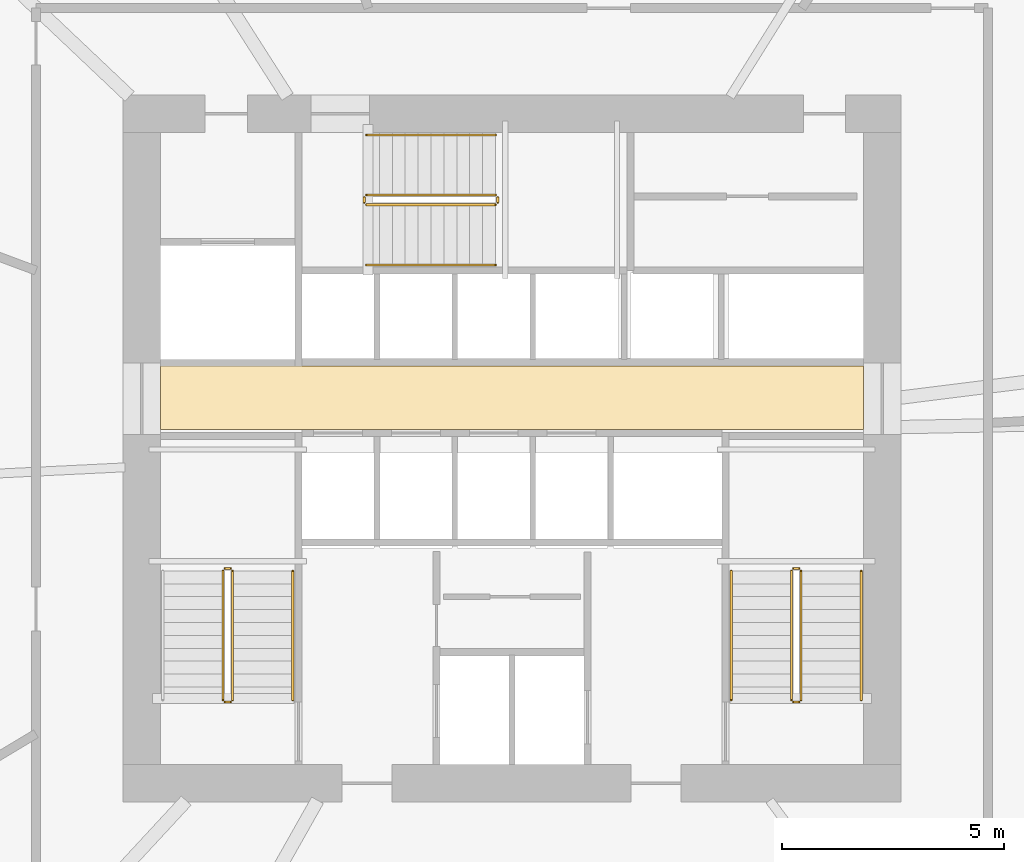
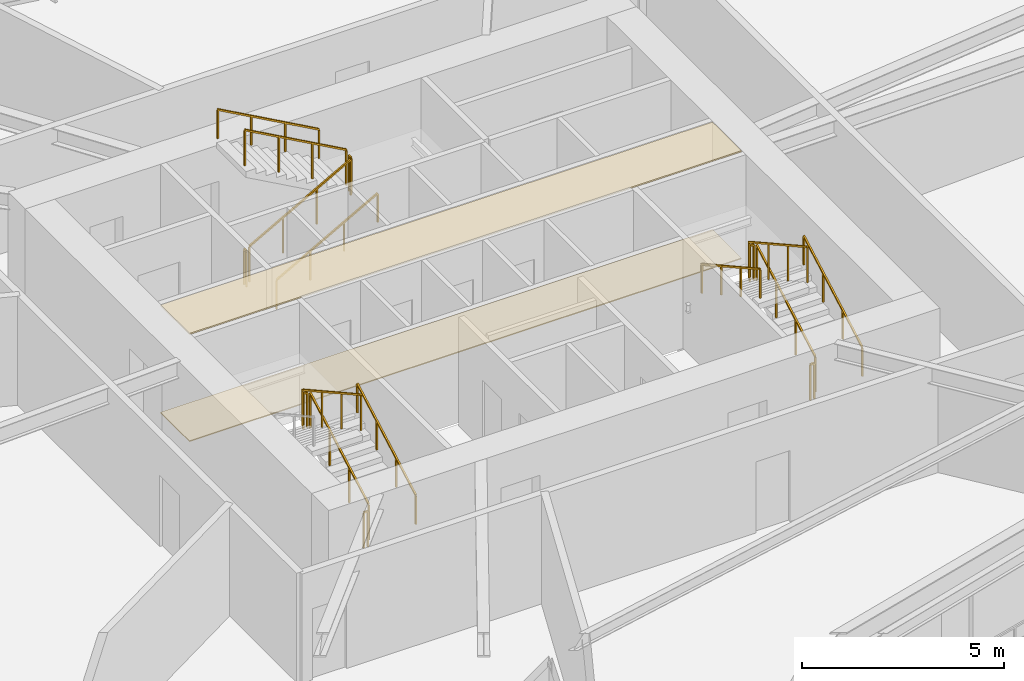
# One storey, part 19 of 20: 17 railings, 2 coverings.
"""IFC4 building model written with IfcOpenShell, lengths in metres."""

from ifc_helpers import new_model, si_unit, direction, frame, origin, origin_2d, place, context, subcontext, project, spatial, polyline, rectangle, outline, extrude, material, layer, layer_set, type_object, element, save


model = new_model("IFC4")

# Units and contexts
model_context = context("Model", 3, precision=1e-05, world=origin(), true_north=direction((0.0, 1.0)))
body_context = subcontext(model_context, "Body", "Model", "MODEL_VIEW")
ifc_project = project(units=[si_unit("LENGTHUNIT", "METRE"), si_unit("AREAUNIT", "SQUARE_METRE"), si_unit("VOLUMEUNIT", "CUBIC_METRE"), si_unit("PLANEANGLEUNIT", "RADIAN"), si_unit("MASSUNIT", "GRAM", prefix="KILO")], contexts=[model_context])

# Site, building, storey
site_placement = place(None, origin())
site = spatial("IfcSite", under=ifc_project, at=site_placement, CompositionType="ELEMENT")
building_placement = place(site_placement, origin())
building = spatial("IfcBuilding", under=site, at=building_placement, Name="Olszyna Solenne Hotel", CompositionType="ELEMENT")
storey_placement = place(building_placement, frame((0.0, 0.0, 43.5)))
storey = spatial("IfcBuildingStorey", under=building, at=storey_placement, Name="L10", CompositionType="ELEMENT", Elevation=43.5)

# Coverings
ifc_material_1 = material(Name="Mineral wool acoustic ceiling")
ifc_layer_1 = layer(ifc_material_1, 0.0400390625, Name="Mineral wool acoustic ceiling")
ifc_layer_set_1 = layer_set([ifc_layer_1], Name="Mineral wool acoustic ceiling")
covering_type_1 = type_object("IfcCoveringType", Name="CL-AC1", PredefinedType="CEILING", material=ifc_layer_set_1)
covering_1_placement = place(storey_placement, frame((0.0, 0.0, 3.239990234375)))
element("IfcCovering", 1, at=covering_1_placement, inside=storey, type_object=covering_type_1, Name="Lift lobby acoustic tile ceiling CL-L10-01", PredefinedType="CEILING", context=body_context, shape_type="SweptSolid", body=[
    extrude(outline(polyline([(30.10009765625, 27.030029296875), (45.89990234375, 27.030029296875), (45.89990234375, 28.4599609375), (30.10009765625, 28.4599609375), (30.10009765625, 27.030029296875)])), origin(), (0.0, 0.0, 1.0), 0.0400390625),
])
ifc_material_2 = material(Name="Ceramic floor tile")
ifc_layer_2 = layer(ifc_material_2, 0.030029296875, Name="Ceramic floor tile")
ifc_layer_set_2 = layer_set([ifc_layer_2], Name="Ceramic floor tile")
covering_type_2 = type_object("IfcCoveringType", Name="FL-TL1", PredefinedType="FLOORING", material=ifc_layer_set_2)
covering_2_placement = place(storey_placement, origin())
element("IfcCovering", 2, at=covering_2_placement, inside=storey, type_object=covering_type_2, Name="Lift lobby stoneware floor finish FLR-L10-01", PredefinedType="FLOORING", context=body_context, shape_type="SweptSolid", body=[
    extrude(outline(polyline([(30.10009765625, 27.030029296875), (45.89990234375, 27.030029296875), (45.89990234375, 28.4599609375), (30.10009765625, 28.4599609375), (30.10009765625, 27.030029296875)])), origin(), (0.0, 0.0, 1.0), 0.030029296875),
])

# Railings
ifc_material_3 = material(Name="Anodised bronze aluminium", Category="aluminium")
railing_type_1 = type_object("IfcRailingType", Name="GR-110", PredefinedType="BALUSTRADE", material=ifc_material_3)
railing_1_placement = place(storey_placement, frame((31.719970703125, 20.949951171875, 0.161376953125)))
element("IfcRailing", 3, at=railing_1_placement, inside=storey, type_object=railing_type_1, Name="L10 ST1 stair guard 1", PredefinedType="BALUSTRADE", context=body_context, shape_type="SweptSolid", body=[
    extrude(rectangle(XDim=0.048095703125, YDim=0.048095703125, at=origin_2d()), frame((0.0, 0.0, 1.076171875), z_axis=(0.0, 0.873858693841, 0.486179990537), x_axis=(-1.0, 0.0, 0.0)), (0.0, 0.0, 1.0), 3.31884765625),
    extrude(rectangle(XDim=0.0419921875, YDim=0.0419921875, at=origin_2d()), origin(), (0.0, 0.0, 1.0), 1.052001953125),
    extrude(rectangle(XDim=0.0419921875, YDim=0.0419921875, at=origin_2d()), frame((0.0, 0.966796875, 0.537841796875)), (0.0, 0.0, 1.0), 1.052001953125),
    extrude(rectangle(XDim=0.0419921875, YDim=0.0419921875, at=origin_2d()), frame((0.0, 1.933349609375, 1.07568359375)), (0.0, 0.0, 1.0), 1.052001953125),
    extrude(rectangle(XDim=0.0419921875, YDim=0.0419921875, at=origin_2d()), frame((0.0, 2.900146484375, 1.613525390625)), (0.0, 0.0, 1.0), 1.052001953125),
])
railing_2_placement = place(storey_placement, frame((31.669921875, 23.89990234375, 1.77490234375)))
element("IfcRailing", 4, at=railing_2_placement, inside=storey, type_object=railing_type_1, Name="L10 ST1 stair guard 2", PredefinedType="BALUSTRADE", context=body_context, shape_type="SweptSolid", body=[
    extrude(rectangle(XDim=0.048095703125, YDim=0.048095703125, at=origin_2d()), frame((0.0, 0.0, 1.076171875), z_axis=(-1.0, 0.0, 0.0), x_axis=(0.0, -1.0, 0.0)), (0.0, 0.0, 1.0), 0.119873046875),
    extrude(rectangle(XDim=0.0419921875, YDim=0.0419921875, at=origin_2d()), origin(), (0.0, 0.0, 1.0), 1.052001953125),
    extrude(rectangle(XDim=0.0419921875, YDim=0.0419921875, at=origin_2d()), frame((-0.119873046875, 0.0, 0.0)), (0.0, 0.0, 1.0), 1.052001953125),
])
railing_3_placement = place(storey_placement, frame((31.5, 23.85009765625, 1.936279296875)))
element("IfcRailing", 5, at=railing_3_placement, inside=storey, type_object=railing_type_1, Name="L10 ST1 stair guard 3", PredefinedType="BALUSTRADE", context=body_context, shape_type="SweptSolid", body=[
    extrude(rectangle(XDim=0.048095703125, YDim=0.048095703125, at=origin_2d()), frame((0.0, 0.0, 1.076171875), z_axis=(0.0, -0.873827439584, 0.48623616261), x_axis=(1.0, 0.0, 0.0)), (0.0, 0.0, 1.0), 3.31884765625),
    extrude(rectangle(XDim=0.0419921875, YDim=0.0419921875, at=origin_2d()), origin(), (0.0, 0.0, 1.0), 1.052001953125),
    extrude(rectangle(XDim=0.0419921875, YDim=0.0419921875, at=origin_2d()), frame((0.0, -0.966796875, 0.537841796875)), (0.0, 0.0, 1.0), 1.052001953125),
    extrude(rectangle(XDim=0.0419921875, YDim=0.0419921875, at=origin_2d()), frame((0.0, -1.933349609375, 1.075927734375)), (0.0, 0.0, 1.0), 1.052001953125),
    extrude(rectangle(XDim=0.0419921875, YDim=0.0419921875, at=origin_2d()), frame((0.0, -2.900146484375, 1.61376953125)), (0.0, 0.0, 1.0), 1.052001953125),
])
railing_4_placement = place(storey_placement, frame((31.669921875, 20.89990234375, 0.0)))
element("IfcRailing", 6, at=railing_4_placement, inside=storey, type_object=railing_type_1, Name="L10 ST1 stair guard 4", PredefinedType="BALUSTRADE", context=body_context, shape_type="SweptSolid", body=[
    extrude(rectangle(XDim=0.048095703125, YDim=0.048095703125, at=origin_2d()), frame((0.0, 0.0, 1.076171875), z_axis=(-1.0, 0.0, 0.0), x_axis=(0.0, -1.0, 0.0)), (0.0, 0.0, 1.0), 0.119873046875),
    extrude(rectangle(XDim=0.0419921875, YDim=0.0419921875, at=origin_2d()), origin(), (0.0, 0.0, 1.0), 1.052001953125),
    extrude(rectangle(XDim=0.0419921875, YDim=0.0419921875, at=origin_2d()), frame((-0.119873046875, 0.0, 0.0)), (0.0, 0.0, 1.0), 1.052001953125),
])
railing_5_placement = place(storey_placement, frame((44.5, 20.949951171875, 0.161376953125)))
element("IfcRailing", 7, at=railing_5_placement, inside=storey, type_object=railing_type_1, Name="L10 ST2 stair guard 1", PredefinedType="BALUSTRADE", context=body_context, shape_type="SweptSolid", body=[
    extrude(rectangle(XDim=0.048095703125, YDim=0.048095703125, at=origin_2d()), frame((0.0, 0.0, 1.076171875), z_axis=(0.0, 0.873858693841, 0.486179990537), x_axis=(-1.0, 0.0, 0.0)), (0.0, 0.0, 1.0), 3.31884765625),
    extrude(rectangle(XDim=0.0419921875, YDim=0.0419921875, at=origin_2d()), origin(), (0.0, 0.0, 1.0), 1.052001953125),
    extrude(rectangle(XDim=0.0419921875, YDim=0.0419921875, at=origin_2d()), frame((0.0, 0.966796875, 0.537841796875)), (0.0, 0.0, 1.0), 1.052001953125),
    extrude(rectangle(XDim=0.0419921875, YDim=0.0419921875, at=origin_2d()), frame((0.0, 1.933349609375, 1.07568359375)), (0.0, 0.0, 1.0), 1.052001953125),
    extrude(rectangle(XDim=0.0419921875, YDim=0.0419921875, at=origin_2d()), frame((0.0, 2.900146484375, 1.613525390625)), (0.0, 0.0, 1.0), 1.052001953125),
])
railing_6_placement = place(storey_placement, frame((44.449951171875, 23.89990234375, 1.77490234375)))
element("IfcRailing", 8, at=railing_6_placement, inside=storey, type_object=railing_type_1, Name="L10 ST2 stair guard 2", PredefinedType="BALUSTRADE", context=body_context, shape_type="SweptSolid", body=[
    extrude(rectangle(XDim=0.048095703125, YDim=0.048095703125, at=origin_2d()), frame((0.0, 0.0, 1.076171875), z_axis=(-1.0, 0.0, 0.0), x_axis=(0.0, -1.0, 0.0)), (0.0, 0.0, 1.0), 0.119873046875),
    extrude(rectangle(XDim=0.0419921875, YDim=0.0419921875, at=origin_2d()), origin(), (0.0, 0.0, 1.0), 1.052001953125),
    extrude(rectangle(XDim=0.0419921875, YDim=0.0419921875, at=origin_2d()), frame((-0.119873046875, 0.0, 0.0)), (0.0, 0.0, 1.0), 1.052001953125),
])
railing_7_placement = place(storey_placement, frame((44.280029296875, 23.85009765625, 1.936279296875)))
element("IfcRailing", 9, at=railing_7_placement, inside=storey, type_object=railing_type_1, Name="L10 ST2 stair guard 3", PredefinedType="BALUSTRADE", context=body_context, shape_type="SweptSolid", body=[
    extrude(rectangle(XDim=0.048095703125, YDim=0.048095703125, at=origin_2d()), frame((0.0, 0.0, 1.076171875), z_axis=(0.0, -0.873827439584, 0.48623616261), x_axis=(1.0, 0.0, 0.0)), (0.0, 0.0, 1.0), 3.31884765625),
    extrude(rectangle(XDim=0.0419921875, YDim=0.0419921875, at=origin_2d()), origin(), (0.0, 0.0, 1.0), 1.052001953125),
    extrude(rectangle(XDim=0.0419921875, YDim=0.0419921875, at=origin_2d()), frame((0.0, -0.966796875, 0.537841796875)), (0.0, 0.0, 1.0), 1.052001953125),
    extrude(rectangle(XDim=0.0419921875, YDim=0.0419921875, at=origin_2d()), frame((0.0, -1.933349609375, 1.075927734375)), (0.0, 0.0, 1.0), 1.052001953125),
    extrude(rectangle(XDim=0.0419921875, YDim=0.0419921875, at=origin_2d()), frame((0.0, -2.900146484375, 1.61376953125)), (0.0, 0.0, 1.0), 1.052001953125),
])
railing_8_placement = place(storey_placement, frame((44.449951171875, 20.89990234375, 0.0)))
element("IfcRailing", 10, at=railing_8_placement, inside=storey, type_object=railing_type_1, Name="L10 ST2 stair guard 4", PredefinedType="BALUSTRADE", context=body_context, shape_type="SweptSolid", body=[
    extrude(rectangle(XDim=0.048095703125, YDim=0.048095703125, at=origin_2d()), frame((0.0, 0.0, 1.076171875), z_axis=(-1.0, 0.0, 0.0), x_axis=(0.0, -1.0, 0.0)), (0.0, 0.0, 1.0), 0.119873046875),
    extrude(rectangle(XDim=0.0419921875, YDim=0.0419921875, at=origin_2d()), origin(), (0.0, 0.0, 1.0), 1.052001953125),
    extrude(rectangle(XDim=0.0419921875, YDim=0.0419921875, at=origin_2d()), frame((-0.119873046875, 0.0, 0.0)), (0.0, 0.0, 1.0), 1.052001953125),
])
railing_9_placement = place(storey_placement, frame((34.72998046875, 32.080078125, 0.161376953125)))
element("IfcRailing", 11, at=railing_9_placement, inside=storey, type_object=railing_type_1, Name="L10 ST3 stair guard 1", PredefinedType="BALUSTRADE", context=body_context, shape_type="SweptSolid", body=[
    extrude(rectangle(XDim=0.048095703125, YDim=0.048095703125, at=origin_2d()), frame((0.0, 0.0, 1.076171875), z_axis=(0.873841303929, 0.0, 0.486211245805), x_axis=(0.0, 1.0, 0.0)), (0.0, 0.0, 1.0), 3.318603515625),
    extrude(rectangle(XDim=0.0419921875, YDim=0.0419921875, at=origin_2d()), origin(), (0.0, 0.0, 1.0), 1.052001953125),
    extrude(rectangle(XDim=0.0419921875, YDim=0.0419921875, at=origin_2d()), frame((0.966552734375, 0.0, 0.537841796875)), (0.0, 0.0, 1.0), 1.052001953125),
    extrude(rectangle(XDim=0.0419921875, YDim=0.0419921875, at=origin_2d()), frame((1.933349609375, 0.0, 1.07568359375)), (0.0, 0.0, 1.0), 1.052001953125),
    extrude(rectangle(XDim=0.0419921875, YDim=0.0419921875, at=origin_2d()), frame((2.89990234375, 0.0, 1.613525390625)), (0.0, 0.0, 1.0), 1.052001953125),
])
railing_10_placement = place(storey_placement, frame((37.679931640625, 32.1298828125, 1.77490234375)))
element("IfcRailing", 12, at=railing_10_placement, inside=storey, type_object=railing_type_1, Name="L10 ST3 stair guard 2", PredefinedType="BALUSTRADE", context=body_context, shape_type="SweptSolid", body=[
    extrude(rectangle(XDim=0.048095703125, YDim=0.048095703125, at=origin_2d()), frame((0.0, 0.0, 1.076171875), z_axis=(0.0, 1.0, 0.0), x_axis=(-1.0, 0.0, 0.0)), (0.0, 0.0, 1.0), 0.1201171875),
    extrude(rectangle(XDim=0.0419921875, YDim=0.0419921875, at=origin_2d()), origin(), (0.0, 0.0, 1.0), 1.052001953125),
    extrude(rectangle(XDim=0.0419921875, YDim=0.0419921875, at=origin_2d()), frame((0.0, 0.1201171875, 0.0)), (0.0, 0.0, 1.0), 1.052001953125),
])
railing_11_placement = place(storey_placement, frame((37.6298828125, 32.300048828125, 1.936279296875)))
element("IfcRailing", 13, at=railing_11_placement, inside=storey, type_object=railing_type_1, Name="L10 ST3 stair guard 3", PredefinedType="BALUSTRADE", context=body_context, shape_type="SweptSolid", body=[
    extrude(rectangle(XDim=0.048095703125, YDim=0.048095703125, at=origin_2d()), frame((0.0, 0.0, 1.076171875), z_axis=(-0.873810046276, 0.0, 0.486267419253), x_axis=(0.0, -1.0, 0.0)), (0.0, 0.0, 1.0), 3.318603515625),
    extrude(rectangle(XDim=0.0419921875, YDim=0.0419921875, at=origin_2d()), origin(), (0.0, 0.0, 1.0), 1.052001953125),
    extrude(rectangle(XDim=0.0419921875, YDim=0.0419921875, at=origin_2d()), frame((-0.966552734375, 0.0, 0.537841796875)), (0.0, 0.0, 1.0), 1.052001953125),
    extrude(rectangle(XDim=0.0419921875, YDim=0.0419921875, at=origin_2d()), frame((-1.933349609375, 0.0, 1.075927734375)), (0.0, 0.0, 1.0), 1.052001953125),
    extrude(rectangle(XDim=0.0419921875, YDim=0.0419921875, at=origin_2d()), frame((-2.89990234375, 0.0, 1.61376953125)), (0.0, 0.0, 1.0), 1.052001953125),
])
railing_12_placement = place(storey_placement, frame((34.679931640625, 32.1298828125, 0.0)))
element("IfcRailing", 14, at=railing_12_placement, inside=storey, type_object=railing_type_1, Name="L10 ST3 stair guard 4", PredefinedType="BALUSTRADE", context=body_context, shape_type="SweptSolid", body=[
    extrude(rectangle(XDim=0.048095703125, YDim=0.048095703125, at=origin_2d()), frame((0.0, 0.0, 1.076171875), z_axis=(0.0, 1.0, 0.0), x_axis=(-1.0, 0.0, 0.0)), (0.0, 0.0, 1.0), 0.1201171875),
    extrude(rectangle(XDim=0.0419921875, YDim=0.0419921875, at=origin_2d()), origin(), (0.0, 0.0, 1.0), 1.052001953125),
    extrude(rectangle(XDim=0.0419921875, YDim=0.0419921875, at=origin_2d()), frame((0.0, 0.1201171875, 0.0)), (0.0, 0.0, 1.0), 1.052001953125),
])
ifc_material_4 = material(Name="Steel S355J2", Category="steel")
railing_type_2 = type_object("IfcRailingType", Name="HR-090", PredefinedType="HANDRAIL", material=ifc_material_4)
for number, where, name in (
    (15, (33.070068359375, 20.949951171875, 0.161376953125), "L10 ST1 stair handrail 1"),
    (16, (45.85009765625, 20.949951171875, 0.161376953125), "L10 ST2 stair handrail 1"),
):
    element("IfcRailing", number, at=place(storey_placement, frame(where)), inside=storey, type_object=railing_type_2, Name=name, PredefinedType="HANDRAIL", context=body_context, shape_type="SweptSolid", body=[
        extrude(rectangle(XDim=0.048095703125, YDim=0.048095703125, at=origin_2d()), frame((0.0, 0.0, 0.8759765625), z_axis=(0.0, 0.873858693841, 0.486179990537), x_axis=(-1.0, 0.0, 0.0)), (0.0, 0.0, 1.0), 3.31884765625),
        extrude(rectangle(XDim=0.0419921875, YDim=0.0419921875, at=origin_2d()), origin(), (0.0, 0.0, 1.0), 0.851806640625),
        extrude(rectangle(XDim=0.0419921875, YDim=0.0419921875, at=origin_2d()), frame((0.0, 0.966796875, 0.537841796875)), (0.0, 0.0, 1.0), 0.851806640625),
        extrude(rectangle(XDim=0.0419921875, YDim=0.0419921875, at=origin_2d()), frame((0.0, 1.933349609375, 1.07568359375)), (0.0, 0.0, 1.0), 0.851806640625),
        extrude(rectangle(XDim=0.0419921875, YDim=0.0419921875, at=origin_2d()), frame((0.0, 2.900146484375, 1.613525390625)), (0.0, 0.0, 1.0), 0.851806640625),
    ])
railing_13_placement = place(storey_placement, frame((42.929931640625, 23.85009765625, 1.936279296875)))
element("IfcRailing", 17, at=railing_13_placement, inside=storey, type_object=railing_type_2, Name="L10 ST2 stair handrail 2", PredefinedType="HANDRAIL", context=body_context, shape_type="SweptSolid", body=[
    extrude(rectangle(XDim=0.048095703125, YDim=0.048095703125, at=origin_2d()), frame((0.0, 0.0, 0.8759765625), z_axis=(0.0, -0.873827439584, 0.48623616261), x_axis=(1.0, 0.0, 0.0)), (0.0, 0.0, 1.0), 3.31884765625),
    extrude(rectangle(XDim=0.0419921875, YDim=0.0419921875, at=origin_2d()), origin(), (0.0, 0.0, 1.0), 0.851806640625),
    extrude(rectangle(XDim=0.0419921875, YDim=0.0419921875, at=origin_2d()), frame((0.0, -0.966796875, 0.537841796875)), (0.0, 0.0, 1.0), 0.851806640625),
    extrude(rectangle(XDim=0.0419921875, YDim=0.0419921875, at=origin_2d()), frame((0.0, -1.933349609375, 1.075927734375)), (0.0, 0.0, 1.0), 0.851806640625),
    extrude(rectangle(XDim=0.0419921875, YDim=0.0419921875, at=origin_2d()), frame((0.0, -2.900146484375, 1.61376953125)), (0.0, 0.0, 1.0), 0.851806640625),
])
railing_14_placement = place(storey_placement, frame((34.72998046875, 30.72998046875, 0.161376953125)))
element("IfcRailing", 18, at=railing_14_placement, inside=storey, type_object=railing_type_2, Name="L10 ST3 stair handrail 1", PredefinedType="HANDRAIL", context=body_context, shape_type="SweptSolid", body=[
    extrude(rectangle(XDim=0.048095703125, YDim=0.048095703125, at=origin_2d()), frame((0.0, 0.0, 0.8759765625), z_axis=(0.873841303929, 0.0, 0.486211245805), x_axis=(0.0, 1.0, 0.0)), (0.0, 0.0, 1.0), 3.318603515625),
    extrude(rectangle(XDim=0.0419921875, YDim=0.0419921875, at=origin_2d()), origin(), (0.0, 0.0, 1.0), 0.851806640625),
    extrude(rectangle(XDim=0.0419921875, YDim=0.0419921875, at=origin_2d()), frame((0.966552734375, 0.0, 0.537841796875)), (0.0, 0.0, 1.0), 0.851806640625),
    extrude(rectangle(XDim=0.0419921875, YDim=0.0419921875, at=origin_2d()), frame((1.933349609375, 0.0, 1.07568359375)), (0.0, 0.0, 1.0), 0.851806640625),
    extrude(rectangle(XDim=0.0419921875, YDim=0.0419921875, at=origin_2d()), frame((2.89990234375, 0.0, 1.613525390625)), (0.0, 0.0, 1.0), 0.851806640625),
])
railing_15_placement = place(storey_placement, frame((37.6298828125, 33.64990234375, 1.936279296875)))
element("IfcRailing", 19, at=railing_15_placement, inside=storey, type_object=railing_type_2, Name="L10 ST3 stair handrail 2", PredefinedType="HANDRAIL", context=body_context, shape_type="SweptSolid", body=[
    extrude(rectangle(XDim=0.048095703125, YDim=0.048095703125, at=origin_2d()), frame((0.0, 0.0, 0.8759765625), z_axis=(-0.873810046276, 0.0, 0.486267419253), x_axis=(0.0, -1.0, 0.0)), (0.0, 0.0, 1.0), 3.318603515625),
    extrude(rectangle(XDim=0.0419921875, YDim=0.0419921875, at=origin_2d()), origin(), (0.0, 0.0, 1.0), 0.851806640625),
    extrude(rectangle(XDim=0.0419921875, YDim=0.0419921875, at=origin_2d()), frame((-0.966552734375, 0.0, 0.537841796875)), (0.0, 0.0, 1.0), 0.851806640625),
    extrude(rectangle(XDim=0.0419921875, YDim=0.0419921875, at=origin_2d()), frame((-1.933349609375, 0.0, 1.075927734375)), (0.0, 0.0, 1.0), 0.851806640625),
    extrude(rectangle(XDim=0.0419921875, YDim=0.0419921875, at=origin_2d()), frame((-2.89990234375, 0.0, 1.61376953125)), (0.0, 0.0, 1.0), 0.851806640625),
])

save(model, "model.ifc")
